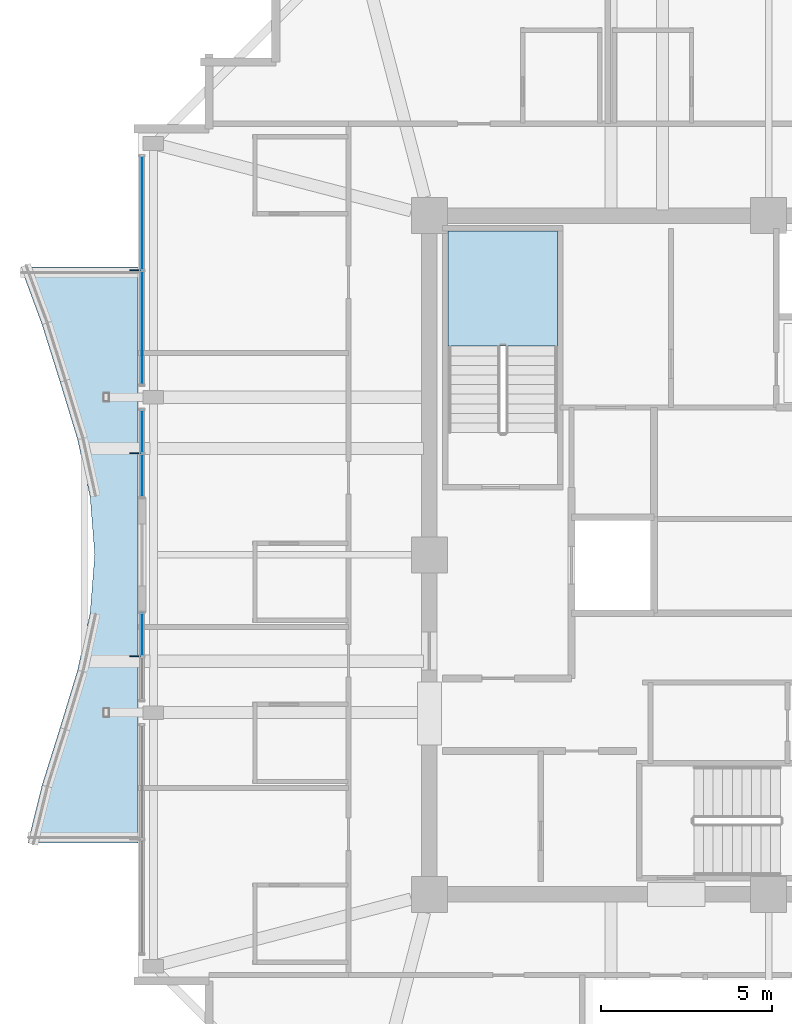
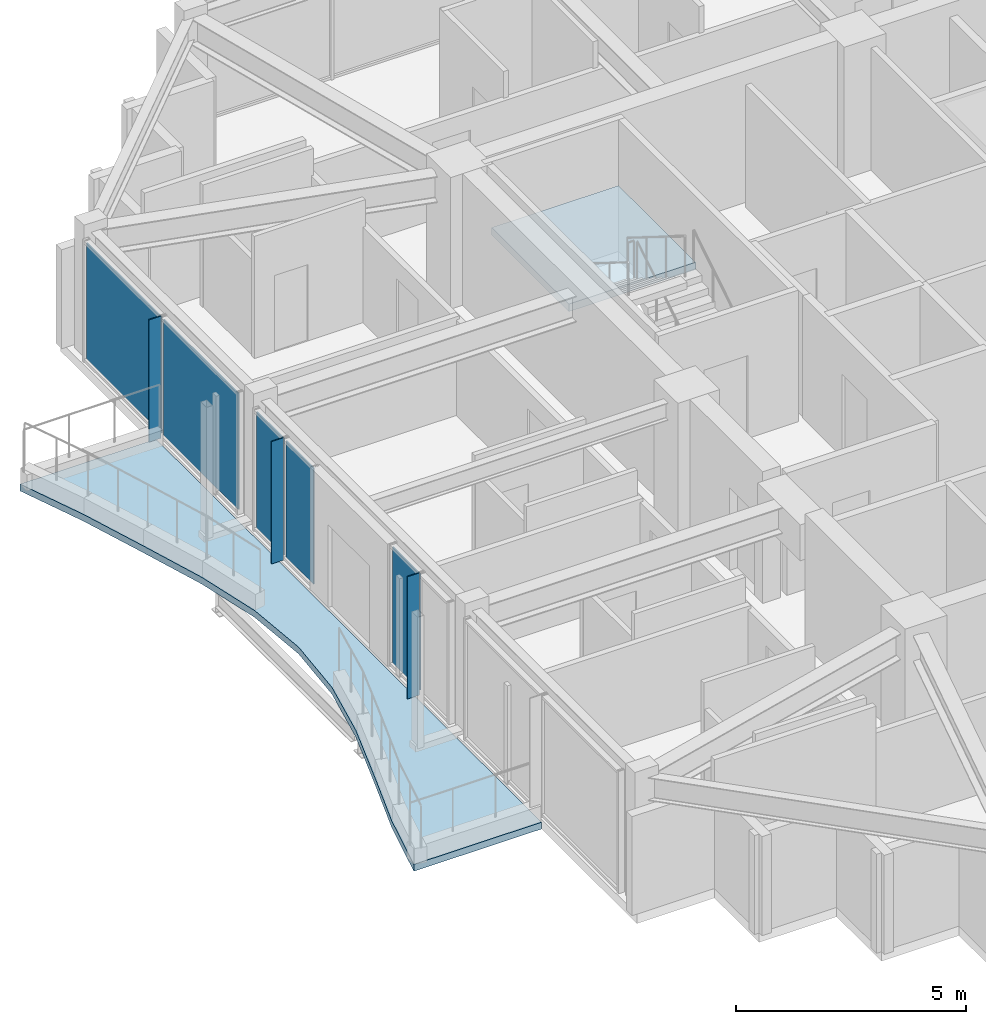
# One storey, part 22 of 31: 8 plates, 2 slabs, 4 elements without a shape of their own.
"""IFC4 building model written with IfcOpenShell, lengths in metres."""

from ifc_helpers import new_model, si_unit, direction, frame, origin, origin_2d, place, context, subcontext, project, spatial, polyline, rectangle, outline, extrude, material, layer, layer_set, type_object, element, aggregate, save


model = new_model("IFC4")

# Units and contexts
model_context = context("Model", 3, precision=1e-05, world=origin(), true_north=direction((0.0, 1.0)))
body_context = subcontext(model_context, "Body", "Model", "MODEL_VIEW")
ifc_project = project(units=[si_unit("LENGTHUNIT", "METRE"), si_unit("AREAUNIT", "SQUARE_METRE"), si_unit("VOLUMEUNIT", "CUBIC_METRE"), si_unit("PLANEANGLEUNIT", "RADIAN"), si_unit("MASSUNIT", "GRAM", prefix="KILO")], contexts=[model_context])

# Site, building, storey
site_placement = place(None, origin())
site = spatial("IfcSite", under=ifc_project, at=site_placement, CompositionType="ELEMENT")
building_placement = place(site_placement, origin())
building = spatial("IfcBuilding", under=site, at=building_placement, Name="Kolvaren Belvedere", CompositionType="ELEMENT")
storey_placement = place(building_placement, frame((0.0, 0.0, 251.39990234375)))
storey = spatial("IfcBuildingStorey", under=building, at=storey_placement, Name="L73", CompositionType="ELEMENT", Elevation=251.39990234375)

# Curtain wall, plate
ifc_material_1 = material(Name="Anodised pale-metal aluminium AA 6063-T6", Category="aluminium")
curtain_wall_type = type_object("IfcCurtainWallType", Name="CW-Z5-HIGH", PredefinedType="NOTDEFINED", material=ifc_material_1)
curtain_wall_1_placement = place(storey_placement, origin())
curtain_wall_1 = element("IfcCurtainWall", 1, at=curtain_wall_1_placement, inside=storey, type_object=curtain_wall_type, Name="L73 Unitised Curtain Wall FCW-L73-W1-B2", PredefinedType="NOTDEFINED")
ifc_material_2 = material(Name="Low-iron triple insulated glass", Category="glass")
ifc_layer_1 = layer(ifc_material_2, 0.028076171875)
ifc_layer_set_1 = layer_set([ifc_layer_1], Name="Low-iron triple insulated glass")
plate_type_1 = type_object("IfcPlateType", Name="CW-PNL-VIS28", PredefinedType="CURTAIN_PANEL", material=ifc_layer_set_1)
plate_1_placement = place(storey_placement, frame((-18.280029296875, -2.3212890625, 0.080078125), z_axis=(0.0, 0.0, 1.0), x_axis=(0.0, 1.0, 0.0)))
plate_1 = element("IfcPlate", 2, at=plate_1_placement, type_object=plate_type_1, Name="FCW-L73-W1-B2 Vision Glazing Panel 2", PredefinedType="CURTAIN_PANEL", context=body_context, shape_type="SweptSolid", body=[
    extrude(rectangle(XDim=1.202392578125, YDim=0.028076171875, at=origin_2d()), origin(), (0.0, 0.0, 1.0), 3.090087890625),
])
aggregate(curtain_wall_1, [plate_1])

# Curtain wall, plates
curtain_wall_2_placement = place(storey_placement, origin())
curtain_wall_2 = element("IfcCurtainWall", 3, at=curtain_wall_2_placement, inside=storey, type_object=curtain_wall_type, Name="L73 Unitised Curtain Wall FCW-L73-W2-B1", PredefinedType="NOTDEFINED")
plate_2_placement = place(storey_placement, frame((-18.280029296875, 2.3212890625, 0.080078125), z_axis=(0.0, 0.0, 1.0), x_axis=(0.0, 1.0, 0.0)))
plate_2 = element("IfcPlate", 4, at=plate_2_placement, type_object=plate_type_1, Name="FCW-L73-W2-B1 Vision Glazing Panel 1", PredefinedType="CURTAIN_PANEL", context=body_context, shape_type="SweptSolid", body=[
    extrude(rectangle(XDim=1.202392578125, YDim=0.028076171875, at=origin_2d()), origin(), (0.0, 0.0, 1.0), 3.090087890625),
])
plate_3_placement = place(storey_placement, frame((-18.280029296875, 3.603759765625, 0.080078125), z_axis=(0.0, 0.0, 1.0), x_axis=(0.0, 1.0, 0.0)))
plate_3 = element("IfcPlate", 5, at=plate_3_placement, type_object=plate_type_1, Name="FCW-L73-W2-B1 Vision Glazing Panel 2", PredefinedType="CURTAIN_PANEL", context=body_context, shape_type="SweptSolid", body=[
    extrude(rectangle(XDim=1.202392578125, YDim=0.028076171875, at=origin_2d()), origin(), (0.0, 0.0, 1.0), 3.090087890625),
])
aggregate(curtain_wall_2, [plate_2, plate_3])

curtain_wall_3_placement = place(storey_placement, origin())
curtain_wall_3 = element("IfcCurtainWall", 6, at=curtain_wall_3_placement, inside=storey, type_object=curtain_wall_type, Name="L73 Unitised Curtain Wall FCW-L73-W2-B2", PredefinedType="NOTDEFINED")
plate_4_placement = place(storey_placement, frame((-18.280029296875, 6.62744140625, 0.080078125), z_axis=(0.0, 0.0, 1.0), x_axis=(0.0, 1.0, 0.0)))
plate_4 = element("IfcPlate", 7, at=plate_4_placement, type_object=plate_type_1, Name="FCW-L73-W2-B2 Vision Glazing Panel 1", PredefinedType="CURTAIN_PANEL", context=body_context, shape_type="SweptSolid", body=[
    extrude(rectangle(XDim=3.264892578125, YDim=0.028076171875, at=origin_2d()), origin(), (0.0, 0.0, 1.0), 3.090087890625),
])
plate_5_placement = place(storey_placement, frame((-18.280029296875, 9.972412109375, 0.080078125), z_axis=(0.0, 0.0, 1.0), x_axis=(0.0, 1.0, 0.0)))
plate_5 = element("IfcPlate", 8, at=plate_5_placement, type_object=plate_type_1, Name="FCW-L73-W2-B2 Vision Glazing Panel 2", PredefinedType="CURTAIN_PANEL", context=body_context, shape_type="SweptSolid", body=[
    extrude(rectangle(XDim=3.264892578125, YDim=0.028076171875, at=origin_2d()), origin(), (0.0, 0.0, 1.0), 3.090087890625),
])
aggregate(curtain_wall_3, [plate_4, plate_5])

# Plates
ifc_material_3 = material(Name="Anodised pale-metal aluminium AA 6063-T6", Category="aluminium")
ifc_layer_2 = layer(ifc_material_3, 0.030029296875)
ifc_layer_set_2 = layer_set([ifc_layer_2], Name="Anodised pale-metal aluminium AA 6063-T6")
plate_type_2 = type_object("IfcPlateType", Name="FIN-VERT-300", PredefinedType="USERDEFINED", material=ifc_layer_set_2)
for number, where, z_axis, x_axis, name in (
    (9, (-18.489990234375, -2.96240234375, 0.0), (0.0, 0.0, 1.0), (1.0, 0.0, 0.0), "L73 Pale-Metal Vertical Shading Fin FCW-L73-W1-B2-1"),
    (10, (-18.489990234375, 2.96240234375, 0.0), (0.0, 0.0, 1.0), (1.0, 0.0, 0.0), "L73 Pale-Metal Vertical Shading Fin FCW-L73-W2-B1-1"),
    (11, (-18.489990234375, 8.300048828125, 0.0), (0.0, 0.0, 1.0), (1.0, 0.0, 0.0), "L73 Pale-Metal Vertical Shading Fin FCW-L73-W2-B2-1"),
):
    element("IfcPlate", number, at=place(storey_placement, frame(where, z_axis=z_axis, x_axis=x_axis)), inside=storey, type_object=plate_type_2, Name=name, ObjectType="VERTICAL FIN", PredefinedType="USERDEFINED", context=body_context, shape_type="SweptSolid", body=[
        extrude(rectangle(XDim=0.300048828125, YDim=0.030029296875, at=origin_2d()), origin(), (0.0, 0.0, 1.0), 3.25),
    ])

# Slab
ifc_material_4 = material(Name="Concrete C50/60", Category="concrete")
ifc_layer_3 = layer(ifc_material_4, 0.179931640625)
ifc_layer_set_3 = layer_set([ifc_layer_3], Name="Concrete C50/60")
slab_type_1 = type_object("IfcSlabType", Name="SL-BAL-180", PredefinedType="FLOOR", material=ifc_layer_set_3)
slab_1_placement = place(storey_placement, frame((0.0, 0.0, -0.25)))
element("IfcSlab", 12, at=slab_1_placement, inside=storey, type_object=slab_type_1, Name="L73 Planted Balcony BAL-W", PredefinedType="FLOOR", context=body_context, shape_type="SweptSolid", body=[
    extrude(outline(polyline([(-21.820068359375, 8.39990234375), (-21.19970703125, 6.719970703125), (-20.672119140625, 5.0400390625), (-20.161376953125, 3.360107421875), (-19.793701171875, 1.679931640625), (-19.659912109375, 0.0), (-19.793701171875, -1.679931640625), (-20.161376953125, -3.360107421875), (-20.672119140625, -5.0400390625), (-21.19970703125, -6.719970703125), (-21.61376953125, -8.39990234375), (-18.39990234375, -8.39990234375), (-18.39990234375, -6.719970703125), (-18.39990234375, -5.0400390625), (-18.39990234375, -3.360107421875), (-18.39990234375, -1.679931640625), (-18.39990234375, 0.0), (-18.39990234375, 1.679931640625), (-18.39990234375, 3.360107421875), (-18.39990234375, 5.0400390625), (-18.39990234375, 6.719970703125), (-18.39990234375, 8.39990234375), (-21.820068359375, 8.39990234375)])), origin(), (0.0, 0.0, 1.0), 0.18017578125),
])

# Stair, slab
ifc_material_5 = material(Name="Concrete C50/60", Category="concrete")
stair_type = type_object("IfcStairType", Name="ST-CORE-1520", PredefinedType="HALF_TURN_STAIR", material=ifc_material_5)
stair_placement = place(storey_placement, origin())
stair = element("IfcStair", 13, at=stair_placement, inside=storey, type_object=stair_type, Name="L73 Protected Exit Stair ST-1", PredefinedType="HALF_TURN_STAIR")
ifc_material_6 = material(Name="Concrete C50/60", Category="concrete")
ifc_layer_4 = layer(ifc_material_6, 0.260009765625)
ifc_layer_set_4 = layer_set([ifc_layer_4], Name="Concrete C50/60")
slab_type_2 = type_object("IfcSlabType", Name="SL-LAND-260", PredefinedType="LANDING", material=ifc_layer_set_4)
slab_2_placement = place(storey_placement, frame((0.0, 0.0, 1.550048828125)))
slab_2 = element("IfcSlab", 14, at=slab_2_placement, type_object=slab_type_2, Name="ST-1 landing 1", PredefinedType="LANDING", context=body_context, shape_type="SweptSolid", body=[
    extrude(outline(polyline([(-6.159912109375, 6.090087890625), (-6.159912109375, 9.449951171875), (-9.35009765625, 9.449951171875), (-9.35009765625, 6.090087890625), (-6.159912109375, 6.090087890625)])), origin(), (0.0, 0.0, 1.0), 0.199951171875),
])
aggregate(stair, [slab_2])

save(model, "model.ifc")
